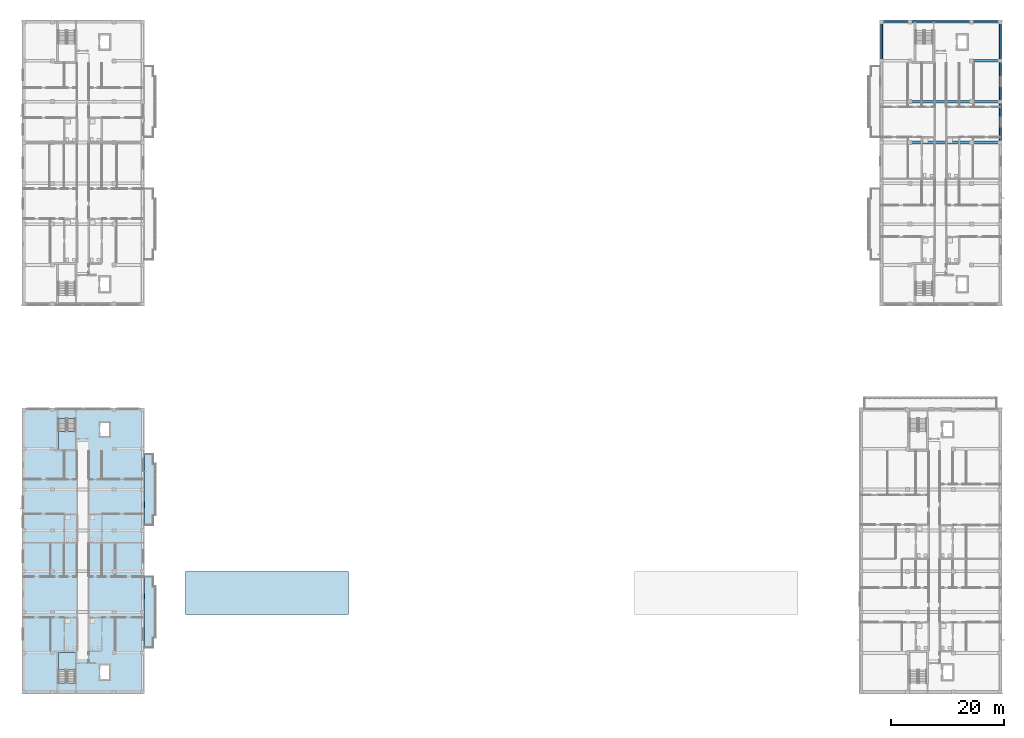
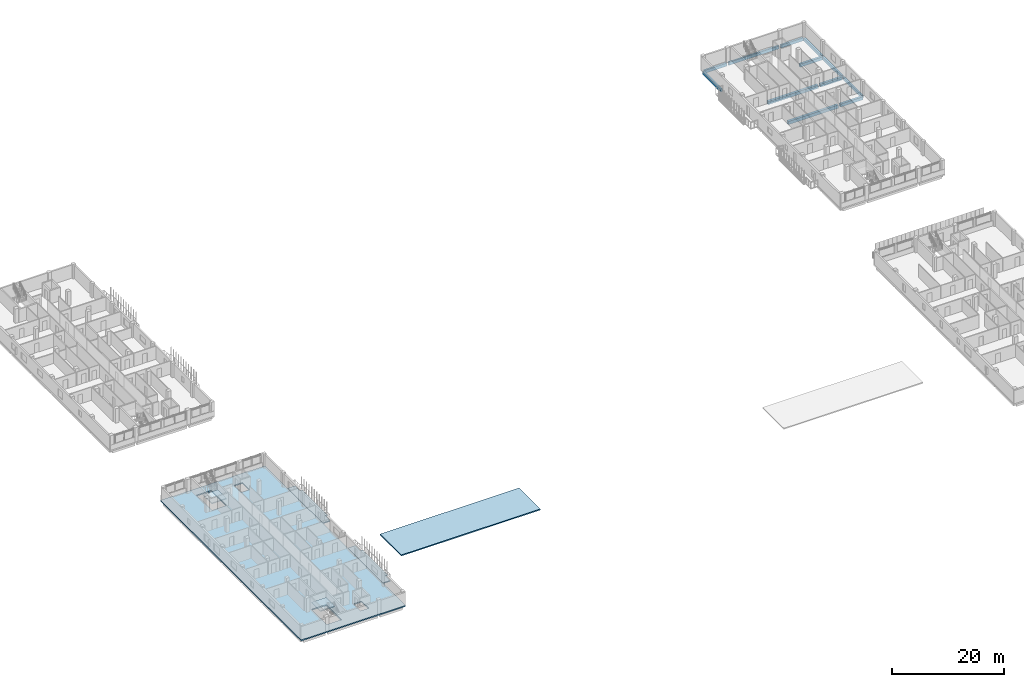
# One storey, part 20 of 51: 12 beams, 6 slabs, 2 elements without a shape of their own.
"""IFC4 building model written with IfcOpenShell, lengths in metres."""

from ifc_helpers import new_model, si_unit, derived_unit, direction, frame, origin, origin_2d, place, context, subcontext, project, spatial, polyline, rectangle, outline, extrude, material, layer, layer_set, material_profile, profile_set, type_object, element, aggregate, save


model = new_model("IFC4")

# Units and contexts
model_context = context("Model", 3, precision=1e-05, world=origin(), true_north=direction((0.0, 1.0)))
body_context = subcontext(model_context, "Body", "Model", "MODEL_VIEW")
ifc_project = project(units=[si_unit("LENGTHUNIT", "METRE"), si_unit("AREAUNIT", "SQUARE_METRE"), si_unit("VOLUMEUNIT", "CUBIC_METRE"), si_unit("PLANEANGLEUNIT", "RADIAN"), si_unit("MASSUNIT", "GRAM", prefix="KILO"), derived_unit("THERMALTRANSMITTANCEUNIT", [(si_unit("MASSUNIT", "GRAM", prefix="KILO"), 1), (si_unit("TIMEUNIT", "SECOND"), -3), (si_unit("THERMODYNAMICTEMPERATUREUNIT", "KELVIN"), -1)])], contexts=[model_context])

# Site, building, storey
site_placement = place(None, origin())
site = spatial("IfcSite", under=ifc_project, at=site_placement, CompositionType="ELEMENT")
building_placement = place(site_placement, origin())
building = spatial("IfcBuilding", under=site, at=building_placement, Name="Ochrekiln Boulevard Commons", CompositionType="ELEMENT")
storey_placement = place(building_placement, frame((0.0, 0.0, 15.22509765625)))
storey = spatial("IfcBuildingStorey", under=building, at=storey_placement, Name="L04", CompositionType="ELEMENT", Elevation=15.22509765625)

# Beams
ifc_material_1 = material(Name="Concrete C35/45", Category="concrete")
ifc_material_profile_1 = material_profile(ifc_material_1, rectangle(XDim=0.449951171875, YDim=0.64990234375, at=origin_2d()), Name="RC-BM-450x650")
ifc_profile_set_1 = profile_set([ifc_material_profile_1], Name="Concrete C35/45")
beam_type_1 = type_object("IfcBeamType", Name="BM-RC-450x650", PredefinedType="BEAM", material=ifc_profile_set_1)
for number, where, z_axis, x_axis, name in (
    (1, (167.610107421875, 97.199951171875, -0.585205078125), (1.0, 0.0, 0.0), (0.0, 1.0, 0.0), "Block B L04 Beam B-4565 X14"),
    (2, (167.610107421875, 104.39990234375, -0.585205078125), (1.0, 0.0, 0.0), (0.0, 1.0, 0.0), "Block B L04 Beam B-4565 X17"),
    (3, (167.610107421875, 111.60009765625, -0.585205078125), (1.0, 0.0, 0.0), (0.0, 1.0, 0.0), "Block B L04 Beam B-4565 X19"),
):
    element("IfcBeam", number, at=place(storey_placement, frame(where, z_axis=z_axis, x_axis=x_axis)), inside=storey, type_object=beam_type_1, Name=name, PredefinedType="BEAM", context=body_context, shape_type="SweptSolid", body=[
        extrude(rectangle(XDim=0.449951171875, YDim=0.64990234375, at=origin_2d()), origin(), (0.0, 0.0, 1.0), 4.6298828125),
    ])
ifc_material_2 = material(Name="Concrete C40/50", Category="concrete")
ifc_material_profile_2 = material_profile(ifc_material_2, rectangle(XDim=0.5, YDim=0.699951171875, at=origin_2d()), Name="RC-BM-500x700")
ifc_profile_set_2 = profile_set([ifc_material_profile_2], Name="Concrete C40/50")
beam_type_2 = type_object("IfcBeamType", Name="BM-RC-500x700", PredefinedType="BEAM", material=ifc_profile_set_2)
for number, where, z_axis, x_axis, name in (
    (4, (156.81005859375, 97.199951171875, -0.610107421875), (1.0, 0.0, 0.0), (0.0, 1.0, 0.0), "Block B L04 Beam B-5070 X13"),
    (5, (156.81005859375, 104.39990234375, -0.610107421875), (1.0, 0.0, 0.0), (0.0, 1.0, 0.0), "Block B L04 Beam B-5070 X16"),
):
    element("IfcBeam", number, at=place(storey_placement, frame(where, z_axis=z_axis, x_axis=x_axis)), inside=storey, type_object=beam_type_2, Name=name, PredefinedType="BEAM", context=body_context, shape_type="SweptSolid", body=[
        extrude(rectangle(XDim=0.5, YDim=0.699951171875, at=origin_2d()), origin(), (0.0, 0.0, 1.0), 10.3798828125),
    ])
ifc_material_profile_3 = material_profile(ifc_material_2, rectangle(XDim=0.35009765625, YDim=0.64990234375, at=origin_2d()), Name="RC-SPN-350x650")
ifc_profile_set_3 = profile_set([ifc_material_profile_3], Name="Concrete C40/50")
beam_type_3 = type_object("IfcBeamType", Name="SPN-RC-350x650", PredefinedType="SPANDREL", material=ifc_profile_set_3)
beam_1_placement = place(storey_placement, frame((151.760009765625, 118.449951171875, -0.585205078125), z_axis=(1.0, 0.0, 0.0), x_axis=(0.0, 1.0, 0.0)))
element("IfcBeam", 6, at=beam_1_placement, inside=storey, type_object=beam_type_3, Name="Block B L04 Beam SP-3565 X20", PredefinedType="SPANDREL", context=body_context, shape_type="SweptSolid", body=[
    extrude(rectangle(XDim=0.35009765625, YDim=0.64990234375, at=origin_2d()), origin(), (0.0, 0.0, 1.0), 4.6298828125),
])
beam_2_placement = place(storey_placement, frame((156.81005859375, 118.449951171875, -0.585205078125), z_axis=(1.0, 0.0, 0.0), x_axis=(0.0, 1.0, 0.0)))
element("IfcBeam", 7, at=beam_2_placement, inside=storey, type_object=beam_type_3, Name="Block B L04 Beam SP-3565 X21", PredefinedType="SPANDREL", context=body_context, shape_type="SweptSolid", body=[
    extrude(rectangle(XDim=0.35009765625, YDim=0.64990234375, at=origin_2d()), origin(), (0.0, 0.0, 1.0), 10.3798828125),
])
beam_3_placement = place(storey_placement, frame((167.610107421875, 118.449951171875, -0.585205078125), z_axis=(1.0, 0.0, 0.0), x_axis=(0.0, 1.0, 0.0)))
element("IfcBeam", 8, at=beam_3_placement, inside=storey, type_object=beam_type_3, Name="Block B L04 Beam SP-3565 X22", PredefinedType="SPANDREL", context=body_context, shape_type="SweptSolid", body=[
    extrude(rectangle(XDim=0.35009765625, YDim=0.64990234375, at=origin_2d()), origin(), (0.0, 0.0, 1.0), 4.6298828125),
])
beam_4_placement = place(storey_placement, frame((151.550048828125, 111.81005859375, -0.585205078125), z_axis=(0.0, 1.0, 0.0), x_axis=(-1.0, 0.0, 0.0)))
element("IfcBeam", 9, at=beam_4_placement, inside=storey, type_object=beam_type_3, Name="Block B L04 Beam SP-3565 Y29", PredefinedType="SPANDREL", context=body_context, shape_type="SweptSolid", body=[
    extrude(rectangle(XDim=0.35009765625, YDim=0.64990234375, at=origin_2d()), origin(), (0.0, 0.0, 1.0), 6.429931640625),
])
beam_5_placement = place(storey_placement, frame((172.449951171875, 97.409912109375, -0.585205078125), z_axis=(0.0, 1.0, 0.0), x_axis=(-1.0, 0.0, 0.0)))
element("IfcBeam", 10, at=beam_5_placement, inside=storey, type_object=beam_type_3, Name="Block B L04 Beam SP-3565 Y34", PredefinedType="SPANDREL", context=body_context, shape_type="SweptSolid", body=[
    extrude(rectangle(XDim=0.35009765625, YDim=0.64990234375, at=origin_2d()), origin(), (0.0, 0.0, 1.0), 6.780029296875),
])
beam_6_placement = place(storey_placement, frame((172.449951171875, 104.610107421875, -0.585205078125), z_axis=(0.0, 1.0, 0.0), x_axis=(-1.0, 0.0, 0.0)))
element("IfcBeam", 11, at=beam_6_placement, inside=storey, type_object=beam_type_3, Name="Block B L04 Beam SP-3565 Y35", PredefinedType="SPANDREL", context=body_context, shape_type="SweptSolid", body=[
    extrude(rectangle(XDim=0.35009765625, YDim=0.64990234375, at=origin_2d()), origin(), (0.0, 0.0, 1.0), 6.77978515625),
])
beam_7_placement = place(storey_placement, frame((172.449951171875, 111.81005859375, -0.585205078125), z_axis=(0.0, 1.0, 0.0), x_axis=(-1.0, 0.0, 0.0)))
element("IfcBeam", 12, at=beam_7_placement, inside=storey, type_object=beam_type_3, Name="Block B L04 Beam SP-3565 Y36", PredefinedType="SPANDREL", context=body_context, shape_type="SweptSolid", body=[
    extrude(rectangle(XDim=0.35009765625, YDim=0.64990234375, at=origin_2d()), origin(), (0.0, 0.0, 1.0), 6.429931640625),
])

# Slabs
ifc_layer_1 = layer(ifc_material_1, 0.219970703125)
ifc_layer_set_1 = layer_set([ifc_layer_1], Name="Concrete C35/45")
slab_type_1 = type_object("IfcSlabType", Name="SLB-BAL-220", PredefinedType="FLOOR", material=ifc_layer_set_1)
slab_1_placement = place(storey_placement, frame((0.0, 0.0, -0.22021484375)))
element("IfcSlab", 13, at=slab_1_placement, inside=storey, type_object=slab_type_1, Name="Block D L04 Planter-Box Balcony Slab 1", PredefinedType="FLOOR", context=body_context, shape_type="SweptSolid", body=[
    extrude(outline(polyline([(21.60009765625, 8.10009765625), (23.14990234375, 8.10009765625), (23.14990234375, 9.89990234375), (23.60009765625, 9.89990234375), (23.60009765625, 18.89990234375), (23.14990234375, 18.89990234375), (23.14990234375, 20.699951171875), (21.60009765625, 20.699951171875), (21.60009765625, 8.10009765625)])), origin(), (0.0, 0.0, 1.0), 0.22021484375),
])
slab_2_placement = place(storey_placement, frame((0.0, 0.0, -0.22021484375)))
element("IfcSlab", 14, at=slab_2_placement, inside=storey, type_object=slab_type_1, Name="Block D L04 Planter-Box Balcony Slab 2", PredefinedType="FLOOR", context=body_context, shape_type="SweptSolid", body=[
    extrude(outline(polyline([(21.60009765625, 29.699951171875), (23.14990234375, 29.699951171875), (23.14990234375, 31.5), (23.60009765625, 31.5), (23.60009765625, 40.5), (23.14990234375, 40.5), (23.14990234375, 42.300048828125), (21.60009765625, 42.300048828125), (21.60009765625, 29.699951171875)])), origin(), (0.0, 0.0, 1.0), 0.22021484375),
])

# Stair, slab
stair_type = type_object("IfcStairType", Name="STR-DL-315", PredefinedType="TWO_STRAIGHT_RUN_STAIR", material=ifc_material_1)
stair_1_placement = place(storey_placement, origin())
stair_1 = element("IfcStair", 15, at=stair_1_placement, inside=storey, type_object=stair_type, Name="L04 Enclosed Exit Stair ST-D1", PredefinedType="TWO_STRAIGHT_RUN_STAIR")
ifc_layer_2 = layer(ifc_material_1, 0.199951171875)
ifc_layer_set_2 = layer_set([ifc_layer_2], Name="Concrete C35/45")
slab_type_2 = type_object("IfcSlabType", Name="SLB-LND-200", PredefinedType="LANDING", material=ifc_layer_set_2)
slab_3_placement = place(storey_placement, frame((0.0, 0.0, 1.375)))
slab_3 = element("IfcSlab", 16, at=slab_3_placement, type_object=slab_type_2, Name="ST-D1 landing 1", PredefinedType="LANDING", context=body_context, shape_type="SweptSolid", body=[
    extrude(outline(polyline([(9.39990234375, 4.18994140625), (9.39990234375, 7.320068359375), (6.39990234375, 7.320068359375), (6.39990234375, 4.18994140625), (9.39990234375, 4.18994140625)])), origin(), (0.0, 0.0, 1.0), 0.199951171875),
])
aggregate(stair_1, [slab_3])

stair_2_placement = place(storey_placement, origin())
stair_2 = element("IfcStair", 17, at=stair_2_placement, inside=storey, type_object=stair_type, Name="L04 Enclosed Exit Stair ST-D2", PredefinedType="TWO_STRAIGHT_RUN_STAIR")
slab_4_placement = place(storey_placement, frame((0.0, 0.0, 1.375)))
slab_4 = element("IfcSlab", 18, at=slab_4_placement, type_object=slab_type_2, Name="ST-D2 landing 1", PredefinedType="LANDING", context=body_context, shape_type="SweptSolid", body=[
    extrude(outline(polyline([(6.39990234375, 46.2099609375), (6.39990234375, 43.080078125), (9.39990234375, 43.080078125), (9.39990234375, 46.2099609375), (6.39990234375, 46.2099609375)])), origin(), (0.0, 0.0, 1.0), 0.199951171875),
])
aggregate(stair_2, [slab_4])

# Slabs
ifc_layer_3 = layer(ifc_material_1, 0.260009765625)
ifc_layer_set_3 = layer_set([ifc_layer_3], Name="Concrete C35/45")
slab_type_3 = type_object("IfcSlabType", Name="SLB-RES-260", PredefinedType="FLOOR", material=ifc_layer_set_3)
slab_5_placement = place(storey_placement, frame((0.0, 0.0, -0.260009765625)))
element("IfcSlab", 19, at=slab_5_placement, inside=storey, type_object=slab_type_3, Name="Block D L04 Reinforced Concrete Floor Slab", PredefinedType="FLOOR", context=body_context, shape_type="SweptSolid", body=[
    extrude(outline(polyline([(0.0, 0.0), (21.60009765625, 0.0), (21.60009765625, 50.39990234375), (0.0, 50.39990234375), (0.0, 0.0)]), holes=[polyline([(9.39990234375, 1.87060546875), (9.39990234375, 7.320068359375), (6.39990234375, 7.320068359375), (6.39990234375, 1.87060546875), (9.39990234375, 1.87060546875)]), polyline([(6.39990234375, 48.529541015625), (6.39990234375, 43.080078125), (9.39990234375, 43.080078125), (9.39990234375, 48.529541015625), (6.39990234375, 48.529541015625)]), polyline([(13.75, 2.550048828125), (15.449951171875, 2.550048828125), (15.449951171875, 5.050048828125), (13.75, 5.050048828125), (13.75, 2.550048828125)]), polyline([(13.75, 45.35009765625), (15.449951171875, 45.35009765625), (15.449951171875, 47.85009765625), (13.75, 47.85009765625), (13.75, 45.35009765625)])]), origin(), (0.0, 0.0, 1.0), 0.260009765625),
])
ifc_layer_4 = layer(ifc_material_1, 0.239990234375)
ifc_layer_set_4 = layer_set([ifc_layer_4], Name="Concrete C35/45")
slab_type_4 = type_object("IfcSlabType", Name="SLB-TERR-240", PredefinedType="ROOF", material=ifc_layer_set_4)
slab_6_placement = place(storey_placement, frame((0.0, 0.0, -0.239990234375)))
element("IfcSlab", 20, at=slab_6_placement, inside=storey, type_object=slab_type_4, Name="West Boulevard Arcade Roof Pavilion Cap Slab", PredefinedType="ROOF", context=body_context, shape_type="SweptSolid", body=[
    extrude(outline(polyline([(28.800048828125, 14.0), (57.60009765625, 14.0), (57.60009765625, 21.60009765625), (28.800048828125, 21.60009765625), (28.800048828125, 14.0)])), origin(), (0.0, 0.0, 1.0), 0.239990234375),
])

save(model, "model.ifc")
